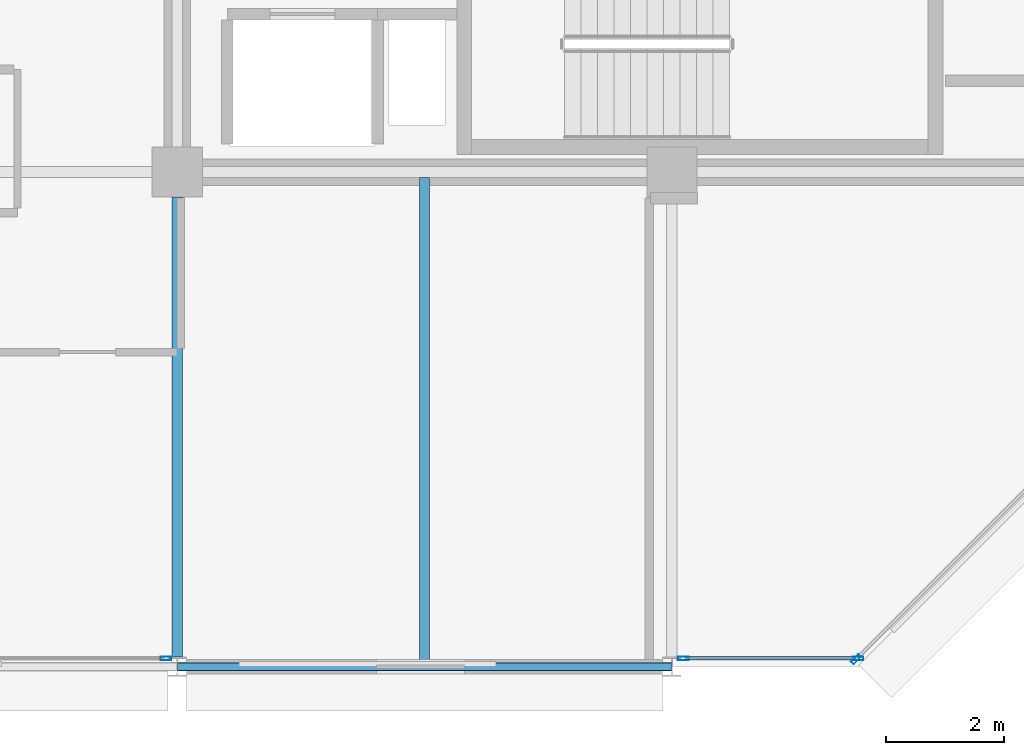
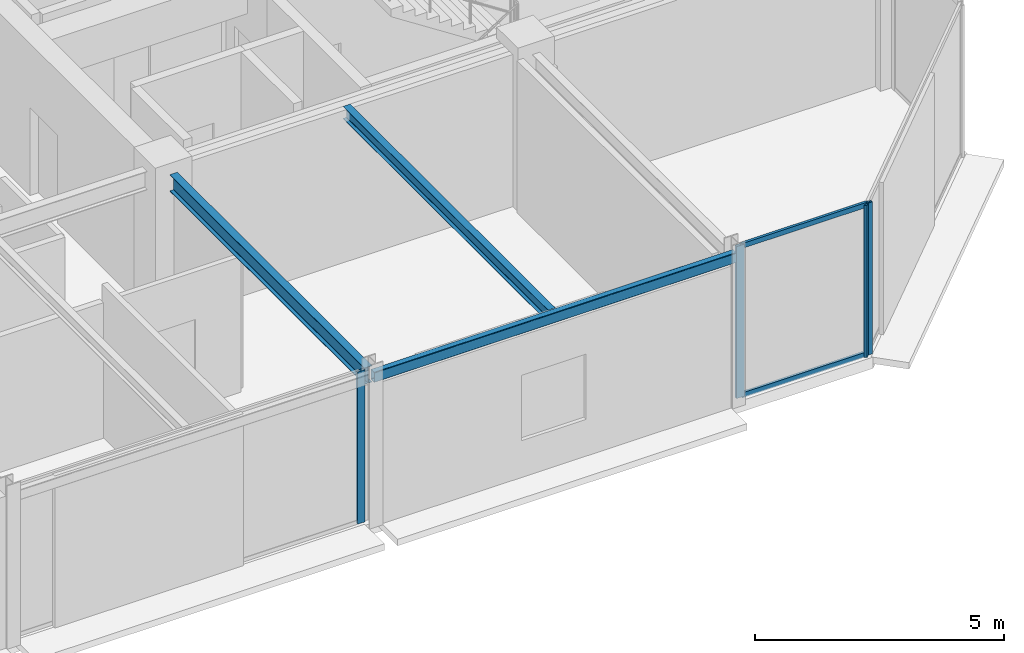
# One storey, part 7 of 25: 6 members, 3 beams, 3 elements without a shape of their own.
"""IFC4 building model written with IfcOpenShell, lengths in metres."""

from ifc_helpers import new_model, si_unit, direction, frame, origin, origin_2d, place, context, subcontext, project, spatial, hollow_rectangle, i_section, extrude, material, layer, layer_set, material_profile, profile_set, type_object, element, aggregate, save


model = new_model("IFC4")

# Units and contexts
model_context = context("Model", 3, precision=1e-05, world=origin(), true_north=direction((0.0, 1.0)))
body_context = subcontext(model_context, "Body", "Model", "MODEL_VIEW")
ifc_project = project(units=[si_unit("LENGTHUNIT", "METRE"), si_unit("AREAUNIT", "SQUARE_METRE"), si_unit("VOLUMEUNIT", "CUBIC_METRE"), si_unit("PLANEANGLEUNIT", "RADIAN"), si_unit("MASSUNIT", "GRAM", prefix="KILO")], contexts=[model_context])

# Site, building, storey
site_placement = place(None, origin())
site = spatial("IfcSite", under=ifc_project, at=site_placement, CompositionType="ELEMENT")
building_placement = place(site_placement, origin())
building = spatial("IfcBuilding", under=site, at=building_placement, Name="Nerrivon Quay Data Exchange", CompositionType="ELEMENT")
storey_placement = place(building_placement, frame((0.0, 0.0, 314.199951171875)))
storey = spatial("IfcBuildingStorey", under=building, at=storey_placement, Name="L75", CompositionType="ELEMENT", Elevation=314.199951171875)

# Beams
ifc_material_1 = material(Name="Steel Grade 350", Category="steel")
ifc_material_profile_1 = material_profile(ifc_material_1, i_section(OverallWidth=0.177978515625, OverallDepth=0.406005859375, WebThickness=0.0078125, FlangeThickness=0.0126953125, FilletRadius=0.011474609375, at=origin_2d()), Name="410UB59.7")
ifc_profile_set_1 = profile_set([ifc_material_profile_1], Name="Steel Grade 350")
beam_type_1 = type_object("IfcBeamType", Name="BM-J1-410UB60", PredefinedType="JOIST", material=ifc_profile_set_1)
beam_1_placement = place(storey_placement, frame((16.800048828125, 0.16357421875, 3.52197265625), z_axis=(0.0, 1.0, 0.0), x_axis=(-1.0, 0.0, 0.0)))
element("IfcBeam", 1, at=beam_1_placement, inside=storey, type_object=beam_type_1, Name="L75 NS Girder X=16.8 (0.0..8.4)", PredefinedType="JOIST", context=body_context, shape_type="SweptSolid", body=[
    extrude(i_section(OverallWidth=0.177978515625, OverallDepth=0.406005859375, WebThickness=0.0078125, FlangeThickness=0.0126953125, FilletRadius=0.011474609375, at=origin_2d()), origin(), (0.0, 0.0, 1.0), 7.8115234375),
])
ifc_material_profile_2 = material_profile(ifc_material_1, i_section(OverallWidth=0.1650390625, OverallDepth=0.303955078125, WebThickness=0.006103515625, FlangeThickness=0.01025390625, FilletRadius=0.011474609375, at=origin_2d()), Name="310UB40.4")
ifc_profile_set_2 = profile_set([ifc_material_profile_2], Name="Steel Grade 350")
beam_type_2 = type_object("IfcBeamType", Name="BM-J6-310UB40", PredefinedType="JOIST", material=ifc_profile_set_2)
beam_2_placement = place(storey_placement, frame((21.0, 0.074951171875, 3.572998046875), z_axis=(0.0, 1.0, 0.0), x_axis=(-1.0, 0.0, 0.0)))
element("IfcBeam", 2, at=beam_2_placement, inside=storey, type_object=beam_type_2, Name="L75 Secondary Joist X=21.0 (0.0..8.4)", PredefinedType="JOIST", context=body_context, shape_type="SweptSolid", body=[
    extrude(i_section(OverallWidth=0.1650390625, OverallDepth=0.303955078125, WebThickness=0.006103515625, FlangeThickness=0.01025390625, FilletRadius=0.011474609375, at=origin_2d()), origin(), (0.0, 0.0, 1.0), 8.22998046875),
])
ifc_material_2 = material(Name="Steel Grade C350L0 (350 MPa)", Category="steel")
ifc_material_profile_3 = material_profile(ifc_material_2, hollow_rectangle(XDim=0.14990234375, YDim=0.25, WallThickness=0.009033203125, InnerFilletRadius=0.013427734375, OuterFilletRadius=0.0224609375, at=origin_2d()), Name="250x150x9.0RHS")
ifc_profile_set_3 = profile_set([ifc_material_profile_3], Name="Steel Grade C350L0 (350 MPa)")
beam_type_3 = type_object("IfcBeamType", Name="BM-SP4-250x150RHS", PredefinedType="SPANDREL", material=ifc_profile_set_3)
beam_3_placement = place(storey_placement, frame((16.807861328125, 0.0, 3.60009765625), z_axis=(1.0, 0.0, 0.0), x_axis=(0.0, 1.0, 0.0)))
element("IfcBeam", 3, at=beam_3_placement, inside=storey, type_object=beam_type_3, Name="L75 EW Girder Y=0.0 (16.8..25.2)", PredefinedType="SPANDREL", context=body_context, shape_type="SweptSolid", body=[
    extrude(hollow_rectangle(XDim=0.14990234375, YDim=0.25, WallThickness=0.009033203125, InnerFilletRadius=0.013427734375, OuterFilletRadius=0.0224609375, at=origin_2d()), origin(), (0.0, 0.0, 1.0), 8.38427734375),
])

# Curtain wall, member
ifc_material_3 = material(Name="Anodised aluminium 6063-T6", Category="aluminium")
ifc_layer = layer(ifc_material_3, 0.195068359375)
ifc_layer_set = layer_set([ifc_layer], Name="Anodised aluminium 6063-T6")
curtain_wall_type = type_object("IfcCurtainWallType", Name="CW-SYS-06", PredefinedType="NOTDEFINED", material=ifc_layer_set)
curtain_wall_1_placement = place(storey_placement, origin())
curtain_wall_1 = element("IfcCurtainWall", 4, at=curtain_wall_1_placement, inside=storey, type_object=curtain_wall_type, Name="L75 Unitised Curtain Wall 1", PredefinedType="NOTDEFINED")
ifc_material_profile_4 = material_profile(ifc_material_3, hollow_rectangle(XDim=0.06494140625, YDim=0.179931640625, WallThickness=0.00341796875, at=origin_2d()), Name="ALU-MULL-180x65")
ifc_profile_set_4 = profile_set([ifc_material_profile_4], Name="Anodised aluminium 6063-T6")
member_type_1 = type_object("IfcMemberType", Name="CWM-180x65", PredefinedType="MULLION", material=ifc_profile_set_4)
member_1_placement = place(storey_placement, frame((28.32763671875, 0.12548828125, 0.0), z_axis=(0.0, 0.0, 1.0), x_axis=(0.707106781187, -0.707106781187, 0.0)))
member_1 = element("IfcMember", 5, at=member_1_placement, type_object=member_type_1, Name="CW06 mullion 2", PredefinedType="MULLION", context=body_context, shape_type="SweptSolid", body=[
    extrude(hollow_rectangle(XDim=0.06494140625, YDim=0.179931640625, WallThickness=0.00341796875, at=origin_2d()), origin(), (0.0, 0.0, 1.0), 3.72509765625),
])
aggregate(curtain_wall_1, [member_1])

# Curtain wall, members
curtain_wall_2_placement = place(storey_placement, origin())
curtain_wall_2 = element("IfcCurtainWall", 6, at=curtain_wall_2_placement, inside=storey, type_object=curtain_wall_type, Name="L75 Unitised Curtain Wall 2", PredefinedType="NOTDEFINED")
member_2_placement = place(storey_placement, frame((28.362548828125, 0.139892578125, 0.0), z_axis=(0.0, 0.0, 1.0), x_axis=(0.0, -1.0, 0.0)))
member_2 = element("IfcMember", 7, at=member_2_placement, type_object=member_type_1, Name="CW06 mullion 1", PredefinedType="MULLION", context=body_context, shape_type="SweptSolid", body=[
    extrude(hollow_rectangle(XDim=0.06494140625, YDim=0.179931640625, WallThickness=0.00341796875, at=origin_2d()), origin(), (0.0, 0.0, 1.0), 3.72509765625),
])
member_3_placement = place(storey_placement, frame((25.39306640625, 0.139892578125, 0.0), z_axis=(0.0, 0.0, 1.0), x_axis=(0.0, -1.0, 0.0)))
member_3 = element("IfcMember", 8, at=member_3_placement, type_object=member_type_1, Name="CW06 mullion 2", PredefinedType="MULLION", context=body_context, shape_type="SweptSolid", body=[
    extrude(hollow_rectangle(XDim=0.06494140625, YDim=0.179931640625, WallThickness=0.00341796875, at=origin_2d()), origin(), (0.0, 0.0, 1.0), 3.72509765625),
])

# Curtain wall, member
curtain_wall_3_placement = place(storey_placement, origin())
curtain_wall_3 = element("IfcCurtainWall", 9, at=curtain_wall_3_placement, inside=storey, type_object=curtain_wall_type, Name="L75 Unitised Curtain Wall 4", PredefinedType="NOTDEFINED")
member_4_placement = place(storey_placement, frame((16.60693359375, 0.139892578125, 0.0), z_axis=(0.0, 0.0, 1.0), x_axis=(0.0, -1.0, 0.0)))
member_4 = element("IfcMember", 10, at=member_4_placement, type_object=member_type_1, Name="CW06 mullion 1", PredefinedType="MULLION", context=body_context, shape_type="SweptSolid", body=[
    extrude(hollow_rectangle(XDim=0.06494140625, YDim=0.179931640625, WallThickness=0.00341796875, at=origin_2d()), origin(), (0.0, 0.0, 1.0), 3.72509765625),
])
aggregate(curtain_wall_3, [member_4])

# Member
ifc_material_profile_5 = material_profile(ifc_material_3, hollow_rectangle(XDim=0.06005859375, YDim=0.1201171875, WallThickness=0.003173828125, at=origin_2d()), Name="ALU-TRAN-120x60")
ifc_profile_set_5 = profile_set([ifc_material_profile_5], Name="Anodised aluminium 6063-T6")
member_type_2 = type_object("IfcMemberType", Name="CWT-120x60", PredefinedType="USERDEFINED", material=ifc_profile_set_5)
member_5_placement = place(storey_placement, frame((28.324951171875, 0.139892578125, 0.032470703125), z_axis=(-1.0, 0.0, 0.0), x_axis=(0.0, -1.0, 0.0)))
member_5 = element("IfcMember", 11, at=member_5_placement, type_object=member_type_2, Name="CW06 transom 1.1", ObjectType="TRANSOM", PredefinedType="USERDEFINED", context=body_context, shape_type="SweptSolid", body=[
    extrude(hollow_rectangle(XDim=0.06005859375, YDim=0.1201171875, WallThickness=0.003173828125, at=origin_2d()), origin(), (0.0, 0.0, 1.0), 2.89453125),
])

member_6_placement = place(storey_placement, frame((28.324951171875, 0.139892578125, 3.692626953125), z_axis=(-1.0, 0.0, 0.0), x_axis=(0.0, -1.0, 0.0)))
member_6 = element("IfcMember", 12, at=member_6_placement, type_object=member_type_2, Name="CW06 transom 1.2", ObjectType="TRANSOM", PredefinedType="USERDEFINED", context=body_context, shape_type="SweptSolid", body=[
    extrude(hollow_rectangle(XDim=0.06005859375, YDim=0.1201171875, WallThickness=0.003173828125, at=origin_2d()), origin(), (0.0, 0.0, 1.0), 2.89453125),
])

aggregate(curtain_wall_2, [member_2, member_3, member_5, member_6])

save(model, "model.ifc")
